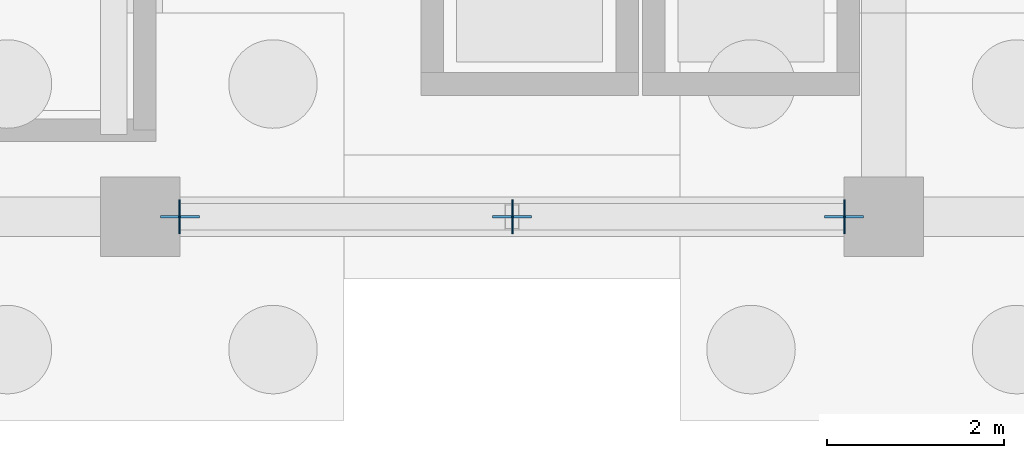
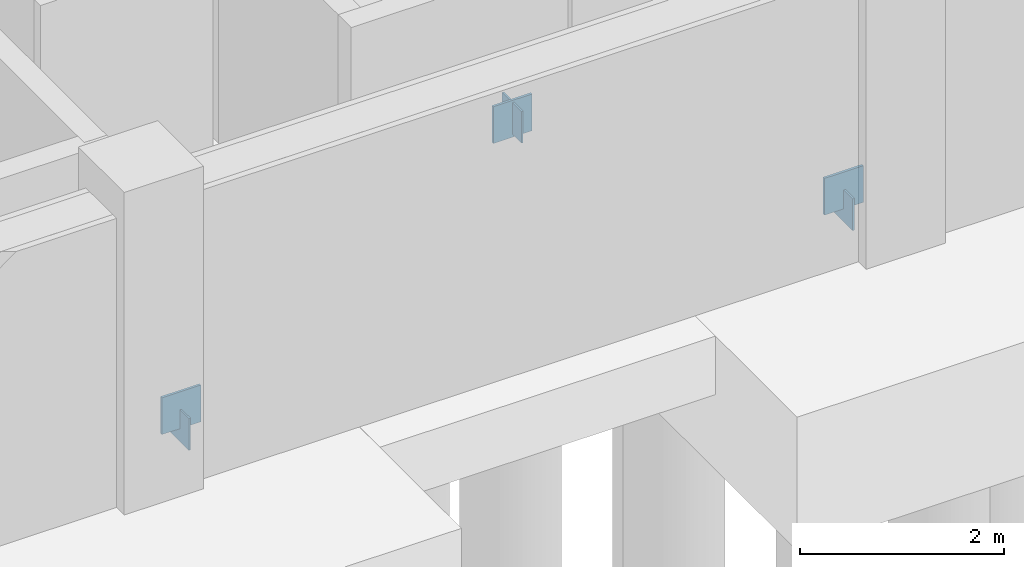
# One storey, part 35 of 70: 6 plates.
"""IFC4 building model written with IfcOpenShell, lengths in metres."""

from ifc_helpers import new_model, si_unit, direction, frame, origin, origin_2d, place, context, subcontext, project, spatial, rectangle, extrude, material, layer, layer_set, type_object, element, save


model = new_model("IFC4")

# Units and contexts
model_context = context("Model", 3, precision=1e-05, world=origin(), true_north=direction((0.0, 1.0)))
body_context = subcontext(model_context, "Body", "Model", "MODEL_VIEW")
ifc_project = project(units=[si_unit("LENGTHUNIT", "METRE"), si_unit("AREAUNIT", "SQUARE_METRE"), si_unit("VOLUMEUNIT", "CUBIC_METRE"), si_unit("PLANEANGLEUNIT", "RADIAN"), si_unit("MASSUNIT", "GRAM", prefix="KILO")], contexts=[model_context])

# Site, building, storey
site_placement = place(None, origin())
site = spatial("IfcSite", under=ifc_project, at=site_placement, CompositionType="ELEMENT")
building_placement = place(site_placement, origin())
building = spatial("IfcBuilding", under=site, at=building_placement, Name="Cumbredor Promenade Congress Hotel", CompositionType="ELEMENT")
storey_placement = place(building_placement, frame((0.0, 0.0, -7.56005859375)))
storey = spatial("IfcBuildingStorey", under=building, at=storey_placement, Name="B02", CompositionType="ELEMENT", Elevation=-7.56005859375)

# Plates
ifc_material = material(Name="Steel ASTM A572 Grade 50", Category="steel")
ifc_layer_1 = layer(ifc_material, 0.02001953125, Name="Steel ASTM A572 Grade 50", Category="steel")
ifc_layer_set_1 = layer_set([ifc_layer_1], Name="Steel ASTM A572 Grade 50")
plate_type_1 = type_object("IfcPlateType", Name="Hollow Section End Cap Plate CP-04", PredefinedType="USERDEFINED", material=ifc_layer_set_1)
for number, where, z_axis, x_axis, name in (
    (1, (17.2431640625, 8.39990234375, -0.194091796875), (0.0, 0.0, 1.0), (1.0, 0.0, 0.0), "B02 Chevron Seismic Brace 1A Start Cap Plate"),
    (2, (21.0068359375, 8.39990234375, 2.164306640625), (0.0, 0.0, 1.0), (1.0, 0.0, 0.0), "B02 Chevron Seismic Brace 1A End Cap Plate"),
    (3, (24.7568359375, 8.39990234375, -0.194091796875), (0.0, 0.0, 1.0), (-1.0, 0.0, 0.0), "B02 Chevron Seismic Brace 1B Start Cap Plate"),
):
    element("IfcPlate", number, at=place(storey_placement, frame(where, z_axis=z_axis, x_axis=x_axis)), inside=storey, type_object=plate_type_1, Name=name, ObjectType="CAP PLATE", PredefinedType="USERDEFINED", context=body_context, shape_type="SweptSolid", body=[
        extrude(rectangle(XDim=0.02001953125, YDim=0.3798828125, at=origin_2d()), origin(), (0.0, 0.0, 1.0), 0.3798828125),
    ])
ifc_layer_2 = layer(ifc_material, 0.028076171875, Name="Steel ASTM A572 Grade 50", Category="steel")
ifc_layer_set_2 = layer_set([ifc_layer_2], Name="Steel ASTM A572 Grade 50")
plate_type_2 = type_object("IfcPlateType", Name="Space Frame Node Assembly ND-03", PredefinedType="USERDEFINED", material=ifc_layer_set_2)
for number, where, z_axis, x_axis, name in (
    (4, (17.25, 8.39990234375, -0.039794921875), (0.0, 0.0, 1.0), (1.0, 0.0, 0.0), "B02 Seismic Frame Gusset Plate 1-BL"),
    (5, (24.75, 8.39990234375, -0.039794921875), (0.0, 0.0, 1.0), (1.0, 0.0, 0.0), "B02 Seismic Frame Gusset Plate 1-BR"),
    (6, (21.0, 8.39990234375, 2.130126953125), (0.0, 0.0, 1.0), (1.0, 0.0, 0.0), "B02 Seismic Frame Gusset Plate 1-APX"),
):
    element("IfcPlate", number, at=place(storey_placement, frame(where, z_axis=z_axis, x_axis=x_axis)), inside=storey, type_object=plate_type_2, Name=name, ObjectType="GUSSET PLATE", PredefinedType="USERDEFINED", context=body_context, shape_type="SweptSolid", body=[
        extrude(rectangle(XDim=0.43994140625, YDim=0.028076171875, at=origin_2d()), origin(), (0.0, 0.0, 1.0), 0.43994140625),
    ])

save(model, "model.ifc")
